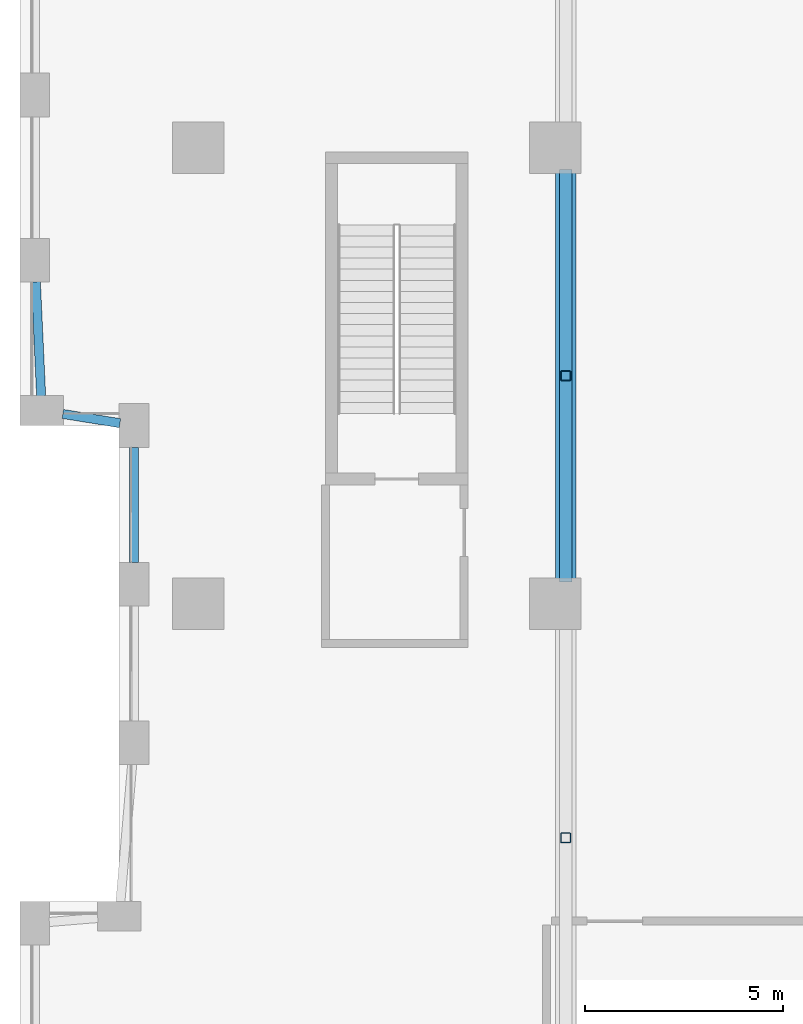
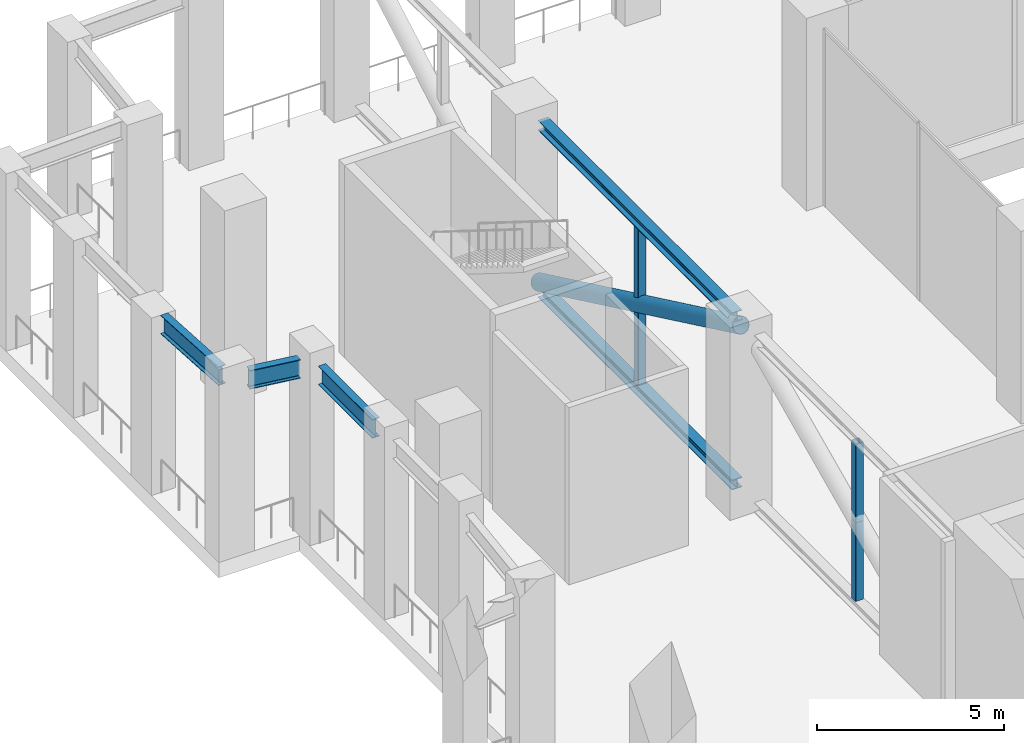
# One storey, part 2 of 14: 7 members, 3 beams.
"""IFC4 building model written with IfcOpenShell, lengths in metres."""

import ifcopenshell
import ifcopenshell.guid

model = None  # the IFC model being written
_history = None  # IfcOwnerHistory: only IFC2X3 demands one
_inside = {}  # id of a spatial element -> (the spatial element, [elements in it])
_under = {}  # id of a project, library or spatial element -> (it, [spatial elements below it])
_declared = {}  # id of a project -> (the project, [libraries it declares])
_typed = {}  # id of a type object -> (the type object, [elements of that type])
_made_of = {}  # id of a material, layer set ... -> (it, [elements and type objects made of it])


def new_model(schema):
    """Start an empty IFC model of exactly this schema.

    Asked for "IFC4X3", IfcOpenShell would pick the latest addendum, in which some entities
    have other attributes; the version numbers below select the first issue.
    IFC2X3 requires an IfcOwnerHistory on every rooted entity: one is made here for all.
    """
    global model, _history
    if schema == "IFC4X3":
        model = ifcopenshell.file(schema_version=(4, 3, 0, 0))
    else:
        model = ifcopenshell.file(schema=schema)
    _inside.clear()
    _under.clear()
    _declared.clear()
    _typed.clear()
    _made_of.clear()
    _history = None
    if model.schema == "IFC2X3":
        org = make("IfcOrganization", Name="unknown")
        user = make(
            "IfcPersonAndOrganization",
            ThePerson=make("IfcPerson", FamilyName="unknown"),
            TheOrganization=org,
        )
        app = make(
            "IfcApplication",
            ApplicationDeveloper=org,
            Version="unknown",
            ApplicationFullName="unknown",
            ApplicationIdentifier="unknown",
        )
        _history = make(
            "IfcOwnerHistory",
            OwningUser=user,
            OwningApplication=app,
            ChangeAction="ADDED",
            CreationDate=0,
        )
    return model


def make(cls, **values):
    """One entity of the class cls with the attributes given. An attribute that is None is left unset."""
    return model.create_entity(
        cls, **{name: value for name, value in values.items() if value is not None}
    )


def rooted(cls, **values):
    """An entity with a GlobalId (a new one), such as an element, a storey or a relation."""
    return make(cls, GlobalId=ifcopenshell.guid.new(), OwnerHistory=_history, **values)


def si_unit(unit_type, name, prefix=None):
    """IfcSIUnit, for example si_unit("LENGTHUNIT", "METRE", prefix="MILLI")."""
    return make("IfcSIUnit", UnitType=unit_type, Prefix=prefix, Name=name)


def assignment(units):
    """IfcUnitAssignment: the units of a project."""
    return None if units is None else make("IfcUnitAssignment", Units=units)


def point(xyz):
    """IfcCartesianPoint."""
    return None if xyz is None else make("IfcCartesianPoint", Coordinates=xyz)


def direction(xyz):
    """IfcDirection."""
    return None if xyz is None else make("IfcDirection", DirectionRatios=xyz)


def frame(location, z_axis=None, x_axis=None):
    """IfcAxis2Placement3D, a coordinate frame: its origin and axes. An axis left out is left unset."""
    return make(
        "IfcAxis2Placement3D",
        Location=point(location),
        Axis=direction(z_axis),
        RefDirection=direction(x_axis),
    )


def frame_2d(location, x_axis=None):
    """IfcAxis2Placement2D, a coordinate frame in the plane: its origin and x axis."""
    return make(
        "IfcAxis2Placement2D", Location=point(location), RefDirection=direction(x_axis)
    )


def origin():
    """The frame at (0, 0, 0) with its axes left unset."""
    return frame((0.0, 0.0, 0.0))


def origin_2d():
    """The frame at (0, 0) in the plane with its x axis left unset."""
    return frame_2d((0.0, 0.0))


def place(relative_to, where):
    """IfcLocalPlacement: puts the frame where relative to a parent placement (None: the world)."""
    return make(
        "IfcLocalPlacement", PlacementRelTo=relative_to, RelativePlacement=where
    )


def context(
    kind, dimensions, precision=None, world=None, true_north=None, identifier=None
):
    """IfcGeometricRepresentationContext, for example the 3D "Model" context."""
    return make(
        "IfcGeometricRepresentationContext",
        ContextIdentifier=identifier,
        ContextType=kind,
        CoordinateSpaceDimension=dimensions,
        Precision=precision,
        WorldCoordinateSystem=world,
        TrueNorth=true_north,
    )


def subcontext(parent, identifier, kind, view, scale=None):
    """IfcGeometricRepresentationSubContext, for example "Body" below "Model"."""
    return make(
        "IfcGeometricRepresentationSubContext",
        ContextIdentifier=identifier,
        ContextType=kind,
        ParentContext=parent,
        TargetScale=scale,
        TargetView=view,
    )


def project(units=None, contexts=None):
    """IfcProject with its units and contexts."""
    return rooted(
        "IfcProject",
        Name="project",
        RepresentationContexts=contexts,
        UnitsInContext=assignment(units),
    )


def spatial(cls, under=None, at=None, **own):
    """A site, building, storey or space (cls), placed at a placement, below another one or the project."""
    s = rooted(cls, ObjectPlacement=at, **own)
    if under is not None:
        _under.setdefault(under.id(), (under, []))[1].append(s)
    return s


def profile(cls, at=None, kind="AREA", **sizes):
    """A parametric profile (cls). Its sizes go by their IFC names, for example OverallWidth=200.0."""
    return make(cls, ProfileType=kind, Position=at, **sizes)


def hollow_rectangle(**sizes):
    """IfcRectangleHollowProfileDef."""
    return profile("IfcRectangleHollowProfileDef", **sizes)


def hollow_circle(**sizes):
    """IfcCircleHollowProfileDef."""
    return profile("IfcCircleHollowProfileDef", **sizes)


def i_section(**sizes):
    """IfcIShapeProfileDef."""
    return profile("IfcIShapeProfileDef", **sizes)


def extrude(swept, where, along, depth):
    """IfcExtrudedAreaSolid: the profile swept, set in the frame where, extruded along a direction by depth."""
    return make(
        "IfcExtrudedAreaSolid",
        SweptArea=swept,
        Position=where,
        ExtrudedDirection=direction(along),
        Depth=depth,
    )


def shape(context_of_items, identifier, shape_type, items):
    """IfcShapeRepresentation: the items that make up one representation, for example the "Body"."""
    return make(
        "IfcShapeRepresentation",
        ContextOfItems=context_of_items,
        RepresentationIdentifier=identifier,
        RepresentationType=shape_type,
        Items=items,
    )


def material(Name=None, Category=None):
    """IfcMaterial."""
    return make("IfcMaterial", Name=Name, Category=Category)


def material_profile(
    of_material, cross_section, Name=None, Category=None, Priority=None
):
    """IfcMaterialProfile: a cross section and its material."""
    return make(
        "IfcMaterialProfile",
        Name=Name,
        Material=of_material,
        Profile=cross_section,
        Priority=Priority,
        Category=Category,
    )


def profile_set(profiles, Name=None, composite=None):
    """IfcMaterialProfileSet."""
    return make(
        "IfcMaterialProfileSet",
        Name=Name,
        MaterialProfiles=profiles,
        CompositeProfile=composite,
    )


def made_of(thing, what):
    """Note that an element or type object is made of a material, layer set ...; save() writes the relation."""
    if what is not None:
        _made_of.setdefault(what.id(), (what, []))[1].append(thing)
    return thing


def type_object(cls, material=None, **own):
    """A type object (cls), such as IfcWallType, which elements share."""
    return made_of(rooted(cls, **own), material)


def element(
    cls,
    number,
    at=None,
    inside=None,
    cuts=None,
    type_object=None,
    material=None,
    context=None,
    identifier="Body",
    shape_type=None,
    held_by="IfcProductDefinitionShape",
    body=None,
    shapes=None,
    **own,
):
    """One element of the class cls, such as IfcWall. Its Tag is "e" and its number.

    at: its placement. inside: the storey or other place that contains it. cuts: it is an
    opening in that element (IfcRelVoidsElement). A single representation is given by context,
    identifier, shape_type and body (its items); several are given by shapes. held_by: the class
    of the entity that holds the representations. save() writes the other relations.
    """
    e = rooted(cls, Tag="e%d" % number, ObjectPlacement=at, **own)
    if body is not None:
        shapes = [shape(context, identifier, shape_type, body)]
    if shapes is not None:
        e.Representation = make(held_by, Representations=shapes)
    if inside is not None:
        _inside.setdefault(inside.id(), (inside, []))[1].append(e)
    if cuts is not None:
        rooted(
            "IfcRelVoidsElement", RelatingBuildingElement=cuts, RelatedOpeningElement=e
        )
    if type_object is not None:
        _typed.setdefault(type_object.id(), (type_object, []))[1].append(e)
    return made_of(e, material)


def aggregate(whole, parts):
    """IfcRelAggregates: a whole, such as a stair, and the parts it consists of."""
    return rooted("IfcRelAggregates", RelatingObject=whole, RelatedObjects=parts)


def save(model, path):
    """Write the relations noted so far, then the file.

    IfcRelAggregates (storeys below a building ...), IfcRelContainedInSpatialStructure (elements
    in a storey), IfcRelDefinesByType, IfcRelAssociatesMaterial and IfcRelDeclares: one each for
    every whole, place, type object, material and project.
    """
    for whole, parts in _under.values():
        aggregate(whole, parts)
    for where, things in _inside.values():
        rooted(
            "IfcRelContainedInSpatialStructure",
            RelatedElements=things,
            RelatingStructure=where,
        )
    for kind, things in _typed.values():
        rooted("IfcRelDefinesByType", RelatedObjects=things, RelatingType=kind)
    for what, things in _made_of.values():
        rooted("IfcRelAssociatesMaterial", RelatedObjects=things, RelatingMaterial=what)
    for by, libraries in _declared.values():
        rooted("IfcRelDeclares", RelatingContext=by, RelatedDefinitions=libraries)
    model.write(path)


model = new_model("IFC4")

# Units and contexts
model_context = context("Model", 3, precision=1e-05, world=origin(), true_north=direction((0.0, 1.0)))
body_context = subcontext(model_context, "Body", "Model", "MODEL_VIEW")
ifc_project = project(units=[si_unit("LENGTHUNIT", "METRE"), si_unit("AREAUNIT", "SQUARE_METRE"), si_unit("VOLUMEUNIT", "CUBIC_METRE"), si_unit("PLANEANGLEUNIT", "RADIAN"), si_unit("MASSUNIT", "GRAM", prefix="KILO")], contexts=[model_context])

# Site, building, storey
site_placement = place(None, origin())
site = spatial("IfcSite", under=ifc_project, at=site_placement, CompositionType="ELEMENT")
building_placement = place(site_placement, origin())
building = spatial("IfcBuilding", under=site, at=building_placement, Name="Brigalow Station Residences", CompositionType="ELEMENT")
storey_placement = place(building_placement, frame((0.0, 0.0, 130.800048828125)))
storey = spatial("IfcBuildingStorey", under=building, at=storey_placement, Name="L38", CompositionType="ELEMENT", Elevation=130.800048828125)

# Beams
ifc_material_1 = material(Name="Steel Grade 300 to AS/NZS 3679.1", Category="steel")
ifc_material_profile_1 = material_profile(ifc_material_1, i_section(OverallWidth=0.22900390625, OverallDepth=0.611572265625, WebThickness=0.011962890625, FlangeThickness=0.01953125, FilletRadius=0.013916015625, at=origin_2d()), Name="610UB125")
ifc_profile_set_1 = profile_set([ifc_material_profile_1], Name="Steel Grade 300 to AS/NZS 3679.1")
beam_type = type_object("IfcBeamType", Name="BELT GIRDER 610UB125", PredefinedType="USERDEFINED", material=ifc_profile_set_1)
beam_1_placement = place(storey_placement, frame((4.900146484375, 32.1220703125, 5.494140625), z_axis=(0.046115177726, -0.998936129281, 0.0), x_axis=(0.998936129281, 0.046115177726, 0.0)))
element("IfcBeam", 1, at=beam_1_placement, inside=storey, type_object=beam_type, Name="BELT GIRDER 38 L38", ObjectType="BELT GIRDER", PredefinedType="USERDEFINED", context=body_context, shape_type="SweptSolid", body=[
    extrude(i_section(OverallWidth=0.22900390625, OverallDepth=0.611572265625, WebThickness=0.011962890625, FlangeThickness=0.01953125, FilletRadius=0.013916015625, at=origin_2d()), origin(), (0.0, 0.0, 1.0), 2.880126953125),
])
beam_2_placement = place(storey_placement, frame((5.579345703125, 28.78955078125, 5.494140625), z_axis=(0.987247903459, -0.159190380097, 0.0), x_axis=(0.159190380097, 0.987247903459, 0.0)))
element("IfcBeam", 2, at=beam_2_placement, inside=storey, type_object=beam_type, Name="BELT GIRDER 39 L38", ObjectType="BELT GIRDER", PredefinedType="USERDEFINED", context=body_context, shape_type="SweptSolid", body=[
    extrude(i_section(OverallWidth=0.22900390625, OverallDepth=0.611572265625, WebThickness=0.011962890625, FlangeThickness=0.01953125, FilletRadius=0.013916015625, at=origin_2d()), origin(), (0.0, 0.0, 1.0), 1.4599609375),
])
beam_3_placement = place(storey_placement, frame((7.375, 27.949951171875, 5.494140625), z_axis=(0.0, -1.0, 0.0), x_axis=(1.0, 0.0, 0.0)))
element("IfcBeam", 3, at=beam_3_placement, inside=storey, type_object=beam_type, Name="BELT GIRDER 40 L38", ObjectType="BELT GIRDER", PredefinedType="USERDEFINED", context=body_context, shape_type="SweptSolid", body=[
    extrude(i_section(OverallWidth=0.22900390625, OverallDepth=0.611572265625, WebThickness=0.011962890625, FlangeThickness=0.01953125, FilletRadius=0.013916015625, at=origin_2d()), origin(), (0.0, 0.0, 1.0), 2.89990234375),
])

# Members
ifc_material_2 = material(Name="Steel Grade C350L0 to AS/NZS 1163", Category="steel")
ifc_material_profile_2 = material_profile(ifc_material_2, hollow_circle(Radius=0.25390625, WallThickness=0.0126953125, at=origin_2d()), Name="508.0x12.7CHS")
ifc_profile_set_2 = profile_set([ifc_material_profile_2], Name="Steel Grade C350L0 to AS/NZS 1163")
member_type_1 = type_object("IfcMemberType", Name="OUTRIGGER BRACE 508.0x12.7CHS", PredefinedType="BRACE", material=ifc_profile_set_2)
member_placement = place(storey_placement, frame((18.260009765625, 24.34375, 5.47265625), z_axis=(0.0, 0.902967521244, -0.429708803236), x_axis=(-1.0, 0.0, 0.0)))
element("IfcMember", 4, at=member_placement, inside=storey, type_object=member_type_1, Name="OUTRIGGER BRACE W2 L38", PredefinedType="BRACE", context=body_context, shape_type="SweptSolid", body=[
    extrude(hollow_circle(Radius=0.25390625, WallThickness=0.0126953125, at=origin_2d()), origin(), (0.0, 0.0, 1.0), 11.974365234375),
])
ifc_material_3 = material(Name="Steel Grade 300 to AS/NZS 3679.1", Category="steel")
ifc_material_profile_3 = material_profile(ifc_material_3, i_section(OverallWidth=0.31103515625, OverallDepth=0.3271484375, WebThickness=0.015625, FlangeThickness=0.02490234375, FilletRadius=0.0166015625, at=origin_2d()), Name="310UC158")
ifc_profile_set_3 = profile_set([ifc_material_profile_3], Name="Steel Grade 300 to AS/NZS 3679.1")
member_type_2 = type_object("IfcMemberType", Name="OUTRIGGER CHORD 310UC158", PredefinedType="CHORD", material=ifc_profile_set_3)
for number, where, z_axis, x_axis, name in (
    (5, (18.260009765625, 24.550048828125, 0.16357421875), (0.0, 1.0, 0.0), (-1.0, 0.0, 0.0), "OUTRIGGER CHORD W LOWER 2 L38"),
    (6, (18.260009765625, 24.550048828125, 5.63623046875), (0.0, 1.0, 0.0), (-1.0, 0.0, 0.0), "OUTRIGGER CHORD W UPPER 2 L38"),
):
    element("IfcMember", number, at=place(storey_placement, frame(where, z_axis=z_axis, x_axis=x_axis)), inside=storey, type_object=member_type_2, Name=name, PredefinedType="CHORD", context=body_context, shape_type="SweptSolid", body=[
        extrude(i_section(OverallWidth=0.31103515625, OverallDepth=0.3271484375, WebThickness=0.015625, FlangeThickness=0.02490234375, FilletRadius=0.0166015625, at=origin_2d()), origin(), (0.0, 0.0, 1.0), 10.39990234375),
    ])
ifc_material_4 = material(Name="Steel Grade C450L0 to AS/NZS 1163", Category="steel")
ifc_material_profile_4 = material_profile(ifc_material_4, hollow_rectangle(XDim=0.25, YDim=0.25, WallThickness=0.009033203125, InnerFilletRadius=0.013427734375, OuterFilletRadius=0.0224609375, at=origin_2d()), Name="250x250x9.0SHS")
ifc_profile_set_4 = profile_set([ifc_material_profile_4], Name="Steel Grade C450L0 to AS/NZS 1163")
member_type_3 = type_object("IfcMemberType", Name="OUTRIGGER POST 250x250x9.0SHS", PredefinedType="POST", material=ifc_profile_set_4)
for number, where, z_axis, x_axis, name in (
    (7, (18.260009765625, 18.10009765625, 0.3271484375), (0.0, 0.0, 1.0), (1.0, 0.0, 0.0), "OUTRIGGER POST W1L L38"),
    (8, (18.260009765625, 18.10009765625, 2.89990234375), (0.0, 0.0, 1.0), (1.0, 0.0, 0.0), "OUTRIGGER POST W1U L38"),
    (9, (18.260009765625, 29.75, 0.3271484375), (0.0, 0.0, 1.0), (1.0, 0.0, 0.0), "OUTRIGGER POST W2L L38"),
    (10, (18.260009765625, 29.75, 2.89990234375), (0.0, 0.0, 1.0), (1.0, 0.0, 0.0), "OUTRIGGER POST W2U L38"),
):
    element("IfcMember", number, at=place(storey_placement, frame(where, z_axis=z_axis, x_axis=x_axis)), inside=storey, type_object=member_type_3, Name=name, PredefinedType="POST", context=body_context, shape_type="SweptSolid", body=[
        extrude(hollow_rectangle(XDim=0.25, YDim=0.25, WallThickness=0.009033203125, InnerFilletRadius=0.013427734375, OuterFilletRadius=0.0224609375, at=origin_2d()), origin(), (0.0, 0.0, 1.0), 2.57275390625),
    ])

save(model, "model.ifc")
